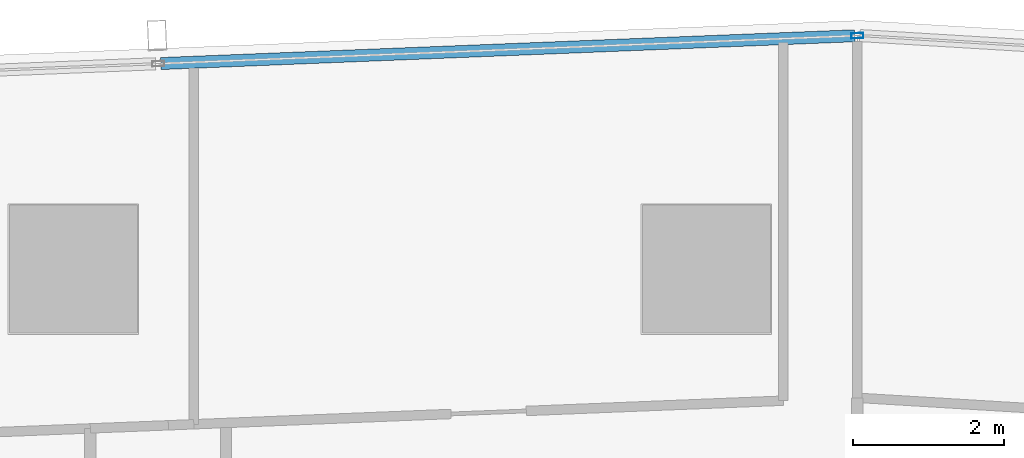
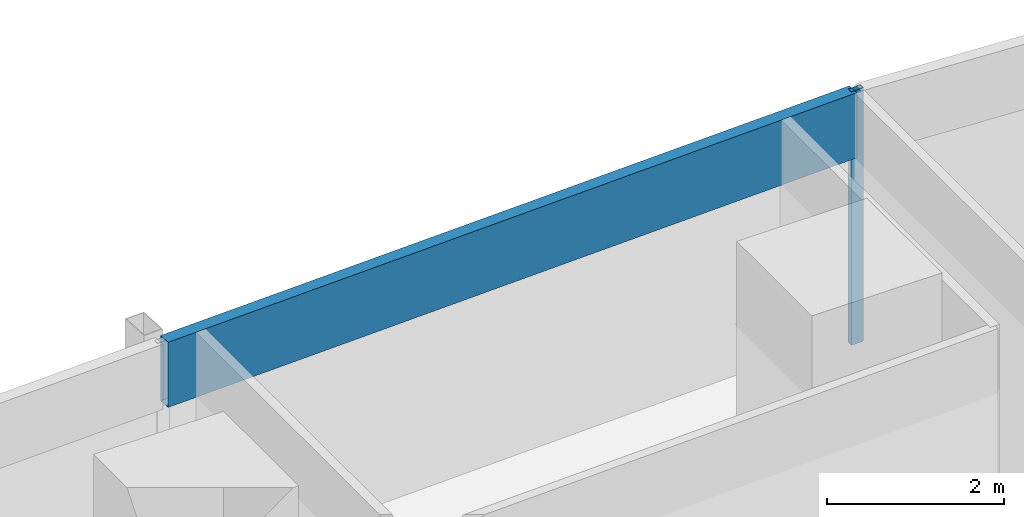
# One storey, part 21 of 38: 2 members, 1 element without a shape of its own.
"""IFC4 building model written with IfcOpenShell, lengths in metres."""

import ifcopenshell
import ifcopenshell.guid

model = None  # the IFC model being written
_history = None  # IfcOwnerHistory: only IFC2X3 demands one
_inside = {}  # id of a spatial element -> (the spatial element, [elements in it])
_under = {}  # id of a project, library or spatial element -> (it, [spatial elements below it])
_declared = {}  # id of a project -> (the project, [libraries it declares])
_typed = {}  # id of a type object -> (the type object, [elements of that type])
_made_of = {}  # id of a material, layer set ... -> (it, [elements and type objects made of it])


def new_model(schema):
    """Start an empty IFC model of exactly this schema.

    Asked for "IFC4X3", IfcOpenShell would pick the latest addendum, in which some entities
    have other attributes; the version numbers below select the first issue.
    IFC2X3 requires an IfcOwnerHistory on every rooted entity: one is made here for all.
    """
    global model, _history
    if schema == "IFC4X3":
        model = ifcopenshell.file(schema_version=(4, 3, 0, 0))
    else:
        model = ifcopenshell.file(schema=schema)
    _inside.clear()
    _under.clear()
    _declared.clear()
    _typed.clear()
    _made_of.clear()
    _history = None
    if model.schema == "IFC2X3":
        org = make("IfcOrganization", Name="unknown")
        user = make(
            "IfcPersonAndOrganization",
            ThePerson=make("IfcPerson", FamilyName="unknown"),
            TheOrganization=org,
        )
        app = make(
            "IfcApplication",
            ApplicationDeveloper=org,
            Version="unknown",
            ApplicationFullName="unknown",
            ApplicationIdentifier="unknown",
        )
        _history = make(
            "IfcOwnerHistory",
            OwningUser=user,
            OwningApplication=app,
            ChangeAction="ADDED",
            CreationDate=0,
        )
    return model


def make(cls, **values):
    """One entity of the class cls with the attributes given. An attribute that is None is left unset."""
    return model.create_entity(
        cls, **{name: value for name, value in values.items() if value is not None}
    )


def rooted(cls, **values):
    """An entity with a GlobalId (a new one), such as an element, a storey or a relation."""
    return make(cls, GlobalId=ifcopenshell.guid.new(), OwnerHistory=_history, **values)


def si_unit(unit_type, name, prefix=None):
    """IfcSIUnit, for example si_unit("LENGTHUNIT", "METRE", prefix="MILLI")."""
    return make("IfcSIUnit", UnitType=unit_type, Prefix=prefix, Name=name)


def assignment(units):
    """IfcUnitAssignment: the units of a project."""
    return None if units is None else make("IfcUnitAssignment", Units=units)


def point(xyz):
    """IfcCartesianPoint."""
    return None if xyz is None else make("IfcCartesianPoint", Coordinates=xyz)


def direction(xyz):
    """IfcDirection."""
    return None if xyz is None else make("IfcDirection", DirectionRatios=xyz)


def frame(location, z_axis=None, x_axis=None):
    """IfcAxis2Placement3D, a coordinate frame: its origin and axes. An axis left out is left unset."""
    return make(
        "IfcAxis2Placement3D",
        Location=point(location),
        Axis=direction(z_axis),
        RefDirection=direction(x_axis),
    )


def frame_2d(location, x_axis=None):
    """IfcAxis2Placement2D, a coordinate frame in the plane: its origin and x axis."""
    return make(
        "IfcAxis2Placement2D", Location=point(location), RefDirection=direction(x_axis)
    )


def origin():
    """The frame at (0, 0, 0) with its axes left unset."""
    return frame((0.0, 0.0, 0.0))


def origin_2d():
    """The frame at (0, 0) in the plane with its x axis left unset."""
    return frame_2d((0.0, 0.0))


def place(relative_to, where):
    """IfcLocalPlacement: puts the frame where relative to a parent placement (None: the world)."""
    return make(
        "IfcLocalPlacement", PlacementRelTo=relative_to, RelativePlacement=where
    )


def context(
    kind, dimensions, precision=None, world=None, true_north=None, identifier=None
):
    """IfcGeometricRepresentationContext, for example the 3D "Model" context."""
    return make(
        "IfcGeometricRepresentationContext",
        ContextIdentifier=identifier,
        ContextType=kind,
        CoordinateSpaceDimension=dimensions,
        Precision=precision,
        WorldCoordinateSystem=world,
        TrueNorth=true_north,
    )


def subcontext(parent, identifier, kind, view, scale=None):
    """IfcGeometricRepresentationSubContext, for example "Body" below "Model"."""
    return make(
        "IfcGeometricRepresentationSubContext",
        ContextIdentifier=identifier,
        ContextType=kind,
        ParentContext=parent,
        TargetScale=scale,
        TargetView=view,
    )


def project(units=None, contexts=None):
    """IfcProject with its units and contexts."""
    return rooted(
        "IfcProject",
        Name="project",
        RepresentationContexts=contexts,
        UnitsInContext=assignment(units),
    )


def spatial(cls, under=None, at=None, **own):
    """A site, building, storey or space (cls), placed at a placement, below another one or the project."""
    s = rooted(cls, ObjectPlacement=at, **own)
    if under is not None:
        _under.setdefault(under.id(), (under, []))[1].append(s)
    return s


def profile(cls, at=None, kind="AREA", **sizes):
    """A parametric profile (cls). Its sizes go by their IFC names, for example OverallWidth=200.0."""
    return make(cls, ProfileType=kind, Position=at, **sizes)


def hollow_rectangle(**sizes):
    """IfcRectangleHollowProfileDef."""
    return profile("IfcRectangleHollowProfileDef", **sizes)


def extrude(swept, where, along, depth):
    """IfcExtrudedAreaSolid: the profile swept, set in the frame where, extruded along a direction by depth."""
    return make(
        "IfcExtrudedAreaSolid",
        SweptArea=swept,
        Position=where,
        ExtrudedDirection=direction(along),
        Depth=depth,
    )


def shape(context_of_items, identifier, shape_type, items):
    """IfcShapeRepresentation: the items that make up one representation, for example the "Body"."""
    return make(
        "IfcShapeRepresentation",
        ContextOfItems=context_of_items,
        RepresentationIdentifier=identifier,
        RepresentationType=shape_type,
        Items=items,
    )


def material(Name=None, Category=None):
    """IfcMaterial."""
    return make("IfcMaterial", Name=Name, Category=Category)


def material_profile(
    of_material, cross_section, Name=None, Category=None, Priority=None
):
    """IfcMaterialProfile: a cross section and its material."""
    return make(
        "IfcMaterialProfile",
        Name=Name,
        Material=of_material,
        Profile=cross_section,
        Priority=Priority,
        Category=Category,
    )


def profile_set(profiles, Name=None, composite=None):
    """IfcMaterialProfileSet."""
    return make(
        "IfcMaterialProfileSet",
        Name=Name,
        MaterialProfiles=profiles,
        CompositeProfile=composite,
    )


def made_of(thing, what):
    """Note that an element or type object is made of a material, layer set ...; save() writes the relation."""
    if what is not None:
        _made_of.setdefault(what.id(), (what, []))[1].append(thing)
    return thing


def type_object(cls, material=None, **own):
    """A type object (cls), such as IfcWallType, which elements share."""
    return made_of(rooted(cls, **own), material)


def element(
    cls,
    number,
    at=None,
    inside=None,
    cuts=None,
    type_object=None,
    material=None,
    context=None,
    identifier="Body",
    shape_type=None,
    held_by="IfcProductDefinitionShape",
    body=None,
    shapes=None,
    **own,
):
    """One element of the class cls, such as IfcWall. Its Tag is "e" and its number.

    at: its placement. inside: the storey or other place that contains it. cuts: it is an
    opening in that element (IfcRelVoidsElement). A single representation is given by context,
    identifier, shape_type and body (its items); several are given by shapes. held_by: the class
    of the entity that holds the representations. save() writes the other relations.
    """
    e = rooted(cls, Tag="e%d" % number, ObjectPlacement=at, **own)
    if body is not None:
        shapes = [shape(context, identifier, shape_type, body)]
    if shapes is not None:
        e.Representation = make(held_by, Representations=shapes)
    if inside is not None:
        _inside.setdefault(inside.id(), (inside, []))[1].append(e)
    if cuts is not None:
        rooted(
            "IfcRelVoidsElement", RelatingBuildingElement=cuts, RelatedOpeningElement=e
        )
    if type_object is not None:
        _typed.setdefault(type_object.id(), (type_object, []))[1].append(e)
    return made_of(e, material)


def aggregate(whole, parts):
    """IfcRelAggregates: a whole, such as a stair, and the parts it consists of."""
    return rooted("IfcRelAggregates", RelatingObject=whole, RelatedObjects=parts)


def save(model, path):
    """Write the relations noted so far, then the file.

    IfcRelAggregates (storeys below a building ...), IfcRelContainedInSpatialStructure (elements
    in a storey), IfcRelDefinesByType, IfcRelAssociatesMaterial and IfcRelDeclares: one each for
    every whole, place, type object, material and project.
    """
    for whole, parts in _under.values():
        aggregate(whole, parts)
    for where, things in _inside.values():
        rooted(
            "IfcRelContainedInSpatialStructure",
            RelatedElements=things,
            RelatingStructure=where,
        )
    for kind, things in _typed.values():
        rooted("IfcRelDefinesByType", RelatedObjects=things, RelatingType=kind)
    for what, things in _made_of.values():
        rooted("IfcRelAssociatesMaterial", RelatedObjects=things, RelatingMaterial=what)
    for by, libraries in _declared.values():
        rooted("IfcRelDeclares", RelatingContext=by, RelatedDefinitions=libraries)
    model.write(path)


model = new_model("IFC4")

# Units and contexts
model_context = context("Model", 3, precision=1e-05, world=origin(), true_north=direction((0.0, 1.0)))
body_context = subcontext(model_context, "Body", "Model", "MODEL_VIEW")
ifc_project = project(units=[si_unit("LENGTHUNIT", "METRE"), si_unit("AREAUNIT", "SQUARE_METRE"), si_unit("VOLUMEUNIT", "CUBIC_METRE"), si_unit("PLANEANGLEUNIT", "RADIAN"), si_unit("MASSUNIT", "GRAM", prefix="KILO")], contexts=[model_context])

# Site, building, storey
site_placement = place(None, origin())
site = spatial("IfcSite", under=ifc_project, at=site_placement, CompositionType="ELEMENT")
building_placement = place(site_placement, origin())
building = spatial("IfcBuilding", under=site, at=building_placement, Name="Rekha Terrace Tower", CompositionType="ELEMENT")
storey_placement = place(building_placement, frame((0.0, 0.0, 114.050048828125)))
storey = spatial("IfcBuildingStorey", under=building, at=storey_placement, Name="L28", CompositionType="ELEMENT", Elevation=114.050048828125)

# Curtain wall, members
ifc_material_1 = material(Name="Aluminium framing", Category="aluminium")
curtain_wall_type = type_object("IfcCurtainWallType", Name="CW3 north unitised glazing", PredefinedType="USERDEFINED", material=ifc_material_1)
curtain_wall_placement = place(storey_placement, origin())
curtain_wall = element("IfcCurtainWall", 1, at=curtain_wall_placement, inside=storey, type_object=curtain_wall_type, Name="CW3 unitised curtain wall", ObjectType="UNITISED CURTAIN WALL", PredefinedType="USERDEFINED")
ifc_material_2 = material(Name="Aluminium mullion section", Category="aluminium")
ifc_material_profile_1 = material_profile(ifc_material_2, hollow_rectangle(XDim=0.070068359375, YDim=0.159912109375, WallThickness=0.00390625, at=origin_2d()), Name="AL RHS 70x160")
ifc_profile_set_1 = profile_set([ifc_material_profile_1], Name="Aluminium mullion section")
member_type_1 = type_object("IfcMemberType", Name="CW3 mullion RHS 70 x 160", PredefinedType="MULLION", material=ifc_profile_set_1)
member_1_placement = place(storey_placement, frame((44.0029296875, 61.8984375, 0.0), z_axis=(0.0, 0.0, 1.0), x_axis=(0.040031987119, -0.999198398721, 0.0)))
member_1 = element("IfcMember", 2, at=member_1_placement, type_object=member_type_1, Name="CW3 mullion 1", PredefinedType="MULLION", context=body_context, shape_type="SweptSolid", body=[
    extrude(hollow_rectangle(XDim=0.070068359375, YDim=0.159912109375, WallThickness=0.00390625, at=origin_2d()), origin(), (0.0, 0.0, 1.0), 3.5),
])
ifc_material_3 = material(Name="Insulated aluminium spandrel box", Category="aluminium")
ifc_material_profile_2 = material_profile(ifc_material_3, hollow_rectangle(XDim=0.159912109375, YDim=0.89990234375, WallThickness=0.0029296875, at=origin_2d()), Name="AL SPANDREL BOX 160x900")
ifc_profile_set_2 = profile_set([ifc_material_profile_2], Name="Insulated aluminium spandrel box")
member_type_2 = type_object("IfcMemberType", Name="CW3 spandrel transom 160 x 900", PredefinedType="USERDEFINED", material=ifc_profile_set_2)
member_2_placement = place(storey_placement, frame((43.968017578125, 61.89697265625, 3.050048828125), z_axis=(-0.999198290018, -0.04003470026, 0.0), x_axis=(0.04003470026, -0.999198290018, 0.0)))
member_2 = element("IfcMember", 3, at=member_2_placement, type_object=member_type_2, Name="CW3 spandrel transom 1", ObjectType="TRANSOM", PredefinedType="USERDEFINED", context=body_context, shape_type="SweptSolid", body=[
    extrude(hollow_rectangle(XDim=0.159912109375, YDim=0.89990234375, WallThickness=0.0029296875, at=origin_2d()), origin(), (0.0, 0.0, 1.0), 9.21435546875),
])
aggregate(curtain_wall, [member_1, member_2])

save(model, "model.ifc")
